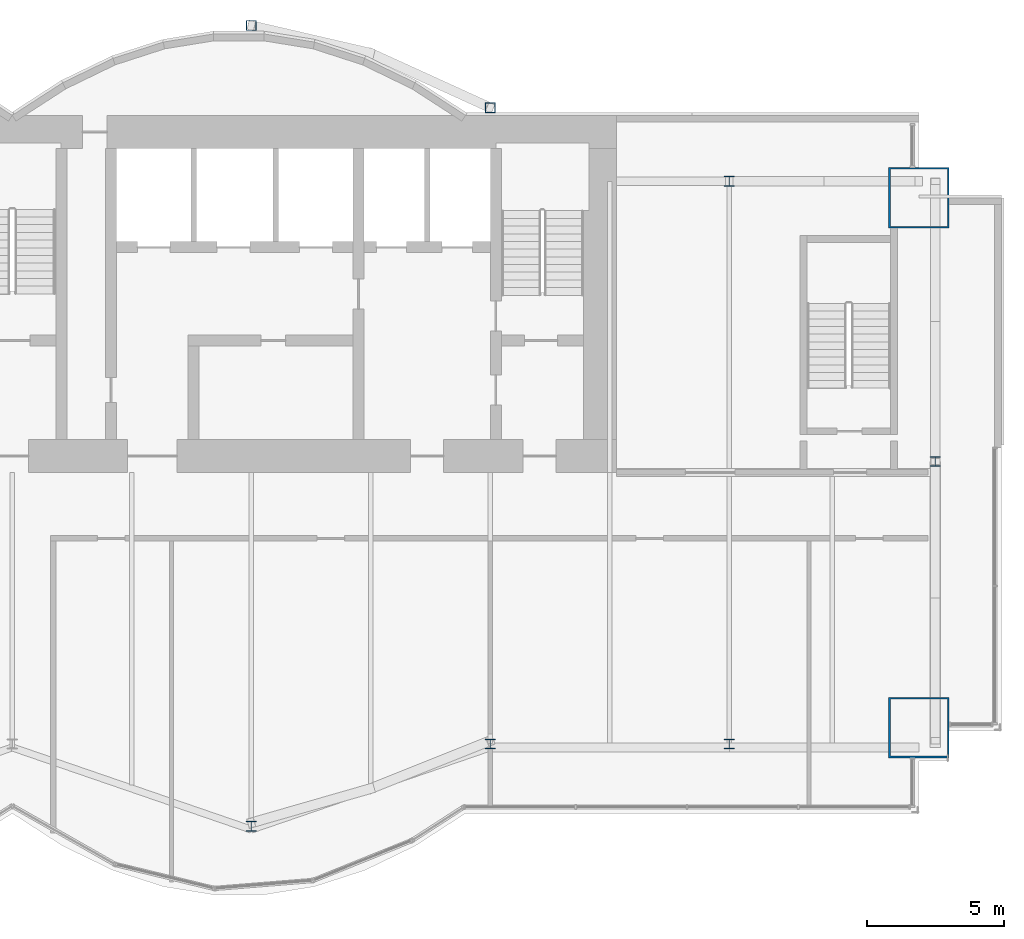
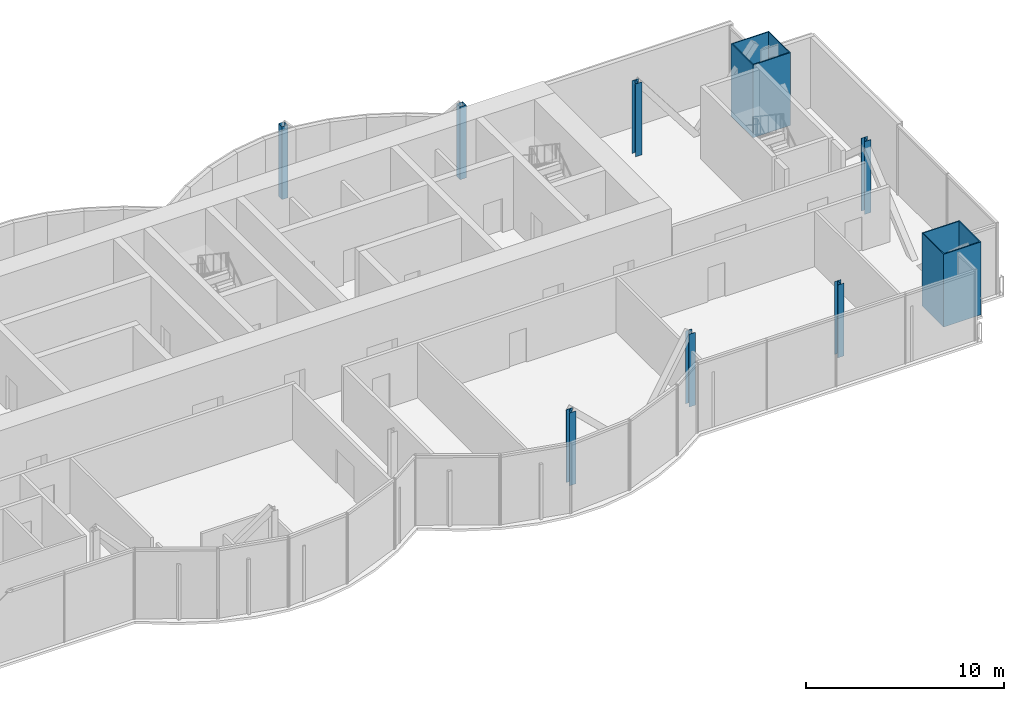
# One storey, part 2 of 16: 9 columns.
"""IFC4 building model written with IfcOpenShell, lengths in metres."""

from ifc_helpers import new_model, si_unit, direction, frame, origin, origin_2d, place, context, subcontext, project, spatial, hollow_rectangle, i_section, extrude, material, material_profile, profile_set, type_object, element, save


model = new_model("IFC4")

# Units and contexts
model_context = context("Model", 3, precision=1e-05, world=origin(), true_north=direction((0.0, 1.0)))
body_context = subcontext(model_context, "Body", "Model", "MODEL_VIEW")
ifc_project = project(units=[si_unit("LENGTHUNIT", "METRE"), si_unit("AREAUNIT", "SQUARE_METRE"), si_unit("VOLUMEUNIT", "CUBIC_METRE"), si_unit("PLANEANGLEUNIT", "RADIAN"), si_unit("MASSUNIT", "GRAM", prefix="KILO")], contexts=[model_context])

# Site, building, storey
site_placement = place(None, origin())
site = spatial("IfcSite", under=ifc_project, at=site_placement, CompositionType="ELEMENT")
building_placement = place(site_placement, origin())
building = spatial("IfcBuilding", under=site, at=building_placement, Name="Bicima Exchange Tower", CompositionType="ELEMENT")
storey_placement = place(building_placement, frame((0.0, 0.0, 329.0)))
storey = spatial("IfcBuildingStorey", under=building, at=storey_placement, Name="L74", CompositionType="ELEMENT", Elevation=329.0)

# Columns
ifc_material_1 = material(Name="Steel ASTM A572 Gr 50", Category="steel")
ifc_material_profile_1 = material_profile(ifc_material_1, hollow_rectangle(XDim=2.199951171875, YDim=2.199951171875, WallThickness=0.06005859375, at=origin_2d()))
ifc_profile_set_1 = profile_set([ifc_material_profile_1], Name="Steel ASTM A572 Gr 50")
column_type_1 = type_object("IfcColumnType", Name="Mega column BOX 2200x2200x60", PredefinedType="COLUMN", material=ifc_profile_set_1)
for number, where, z_axis, x_axis, name in (
    (1, (33.0, -22.285888671875, 0.0), (0.0, 0.0, 1.0), (1.0, 0.0, 0.0), "Mega column mega+33.0f"),
    (2, (33.0, -3.0, 0.0), (0.0, 0.0, 1.0), (1.0, 0.0, 0.0), "Mega column mega+33.0r"),
):
    element("IfcColumn", number, at=place(storey_placement, frame(where, z_axis=z_axis, x_axis=x_axis)), inside=storey, type_object=column_type_1, Name=name, PredefinedType="COLUMN", context=body_context, shape_type="SweptSolid", body=[
        extrude(hollow_rectangle(XDim=2.199951171875, YDim=2.199951171875, WallThickness=0.06005859375, at=origin_2d()), origin(), (0.0, 0.0, 1.0), 4.5),
    ])
ifc_material_2 = material(Name="Steel ASTM A992 Gr 50", Category="steel")
ifc_material_profile_2 = material_profile(ifc_material_2, i_section(OverallWidth=0.368408203125, OverallDepth=0.355712890625, WebThickness=0.01123046875, FlangeThickness=0.01806640625, at=origin_2d()))
ifc_profile_set_2 = profile_set([ifc_material_profile_2], Name="Steel ASTM A992 Gr 50")
column_type_2 = type_object("IfcColumnType", Name="Perimeter column W14x90", PredefinedType="COLUMN", material=ifc_profile_set_2)
for number, where, z_axis, x_axis, name in (
    (3, (8.699951171875, -25.877197265625, 0.0), (0.0, 0.0, 1.0), (1.0, 0.0, 0.0), "Perimeter column grav+8.7f"),
    (4, (17.39990234375, -22.885986328125, 0.0), (0.0, 0.0, 1.0), (1.0, 0.0, 0.0), "Perimeter column grav+17.4f"),
    (5, (26.10009765625, -22.885986328125, 0.0), (0.0, 0.0, 1.0), (1.0, 0.0, 0.0), "Perimeter column grav+26.1f"),
    (6, (26.10009765625, -2.39990234375, 0.0), (0.0, 0.0, 1.0), (1.0, 0.0, 0.0), "Perimeter column grav+26.1r"),
    (7, (33.60009765625, -12.60009765625, 0.0), (0.0, 0.0, 1.0), (1.0, 0.0, 0.0), "End column end+33.6e"),
):
    element("IfcColumn", number, at=place(storey_placement, frame(where, z_axis=z_axis, x_axis=x_axis)), inside=storey, type_object=column_type_2, Name=name, PredefinedType="COLUMN", context=body_context, shape_type="SweptSolid", body=[
        extrude(i_section(OverallWidth=0.368408203125, OverallDepth=0.355712890625, WebThickness=0.01123046875, FlangeThickness=0.01806640625, at=origin_2d()), origin(), (0.0, 0.0, 1.0), 4.5),
    ])
ifc_material_profile_3 = material_profile(ifc_material_1, hollow_rectangle(XDim=0.355712890625, YDim=0.355712890625, WallThickness=0.01171875, at=origin_2d()))
ifc_profile_set_3 = profile_set([ifc_material_profile_3], Name="Steel ASTM A572 Gr 50")
column_type_3 = type_object("IfcColumnType", Name="Rear pilaster HSS14x14x1/2", PredefinedType="COLUMN", material=ifc_profile_set_3)
for number, where, z_axis, x_axis, name in (
    (8, (8.699951171875, 3.26904296875, 0.0), (0.0, 0.0, 1.0), (1.0, 0.0, 0.0), "Rear pilaster rexo+8.7r"),
    (9, (17.39990234375, 0.278076171875, 0.0), (0.0, 0.0, 1.0), (1.0, 0.0, 0.0), "Rear pilaster rexo+17.4r"),
):
    element("IfcColumn", number, at=place(storey_placement, frame(where, z_axis=z_axis, x_axis=x_axis)), inside=storey, type_object=column_type_3, Name=name, PredefinedType="COLUMN", context=body_context, shape_type="SweptSolid", body=[
        extrude(hollow_rectangle(XDim=0.355712890625, YDim=0.355712890625, WallThickness=0.01171875, at=origin_2d()), origin(), (0.0, 0.0, 1.0), 4.5),
    ])

save(model, "model.ifc")
